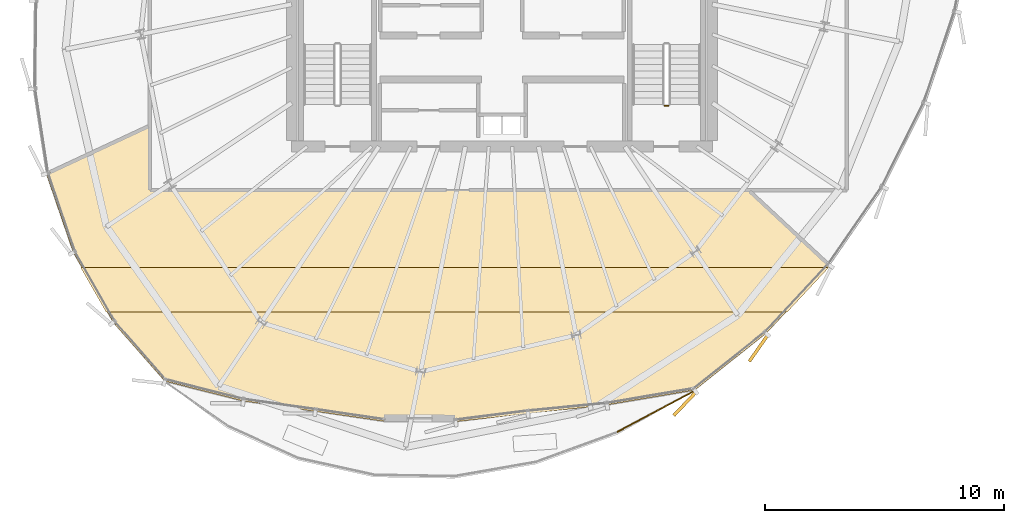
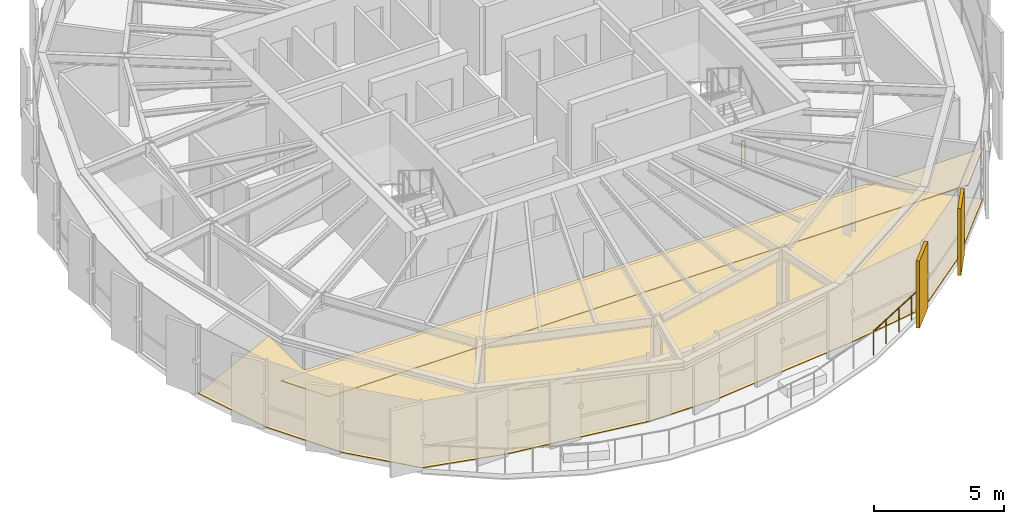
# One storey, part 30 of 32: 4 coverings, 2 railings.
"""IFC4 building model written with IfcOpenShell, lengths in metres."""

from ifc_helpers import new_model, si_unit, direction, frame, origin, origin_2d, place, context, subcontext, project, spatial, polyline, rectangle, circle, outline, extrude, source, transform, mapped, material, layer, layer_set, type_object, element, save


model = new_model("IFC4")

# Units and contexts
model_context = context("Model", 3, precision=1e-05, world=origin(), true_north=direction((0.0, 1.0)))
body_context = subcontext(model_context, "Body", "Model", "MODEL_VIEW")
ifc_project = project(units=[si_unit("LENGTHUNIT", "METRE"), si_unit("AREAUNIT", "SQUARE_METRE"), si_unit("VOLUMEUNIT", "CUBIC_METRE"), si_unit("PLANEANGLEUNIT", "RADIAN"), si_unit("MASSUNIT", "GRAM", prefix="KILO"), si_unit("THERMODYNAMICTEMPERATUREUNIT", "KELVIN")], contexts=[model_context])

# Site, building, storey
site_placement = place(None, origin())
site = spatial("IfcSite", under=ifc_project, at=site_placement, CompositionType="ELEMENT")
building_placement = place(site_placement, origin())
building = spatial("IfcBuilding", under=site, at=building_placement, Name="Kethvar Cultural Tower", CompositionType="ELEMENT")
storey_placement = place(building_placement, frame((0.0, 0.0, 273.25)))
storey = spatial("IfcBuildingStorey", under=building, at=storey_placement, Name="L72", CompositionType="ELEMENT", Elevation=273.25)

# Coverings
ifc_material_1 = material(Name="Acoustic Mineral Fibre Ceiling")
ifc_layer_1 = layer(ifc_material_1, 0.0400390625, Name="Acoustic Mineral Fibre Ceiling")
ifc_layer_set_1 = layer_set([ifc_layer_1], Name="Acoustic Mineral Fibre Ceiling (40 mm)")
covering_type_1 = type_object("IfcCoveringType", Name="CV-ACOUSTIC-CEIL", PredefinedType="CEILING", material=ifc_layer_set_1)
covering_1_placement = place(storey_placement, frame((0.0, 0.0, 2.449951171875)))
element("IfcCovering", 1, at=covering_1_placement, inside=storey, type_object=covering_type_1, Name="L72 Room 01 Acoustic Ceiling Panel", PredefinedType="CEILING", context=body_context, shape_type="SweptSolid", body=[
    extrude(outline(polyline([(58.73583984375, 13.173583984375), (30.239013671875, 13.173583984375), (29.169677734375, 15.04345703125), (60.47900390625, 15.04345703125), (58.73583984375, 13.173583984375)])), origin(), (0.0, 0.0, 1.0), 0.0400390625),
])
ifc_material_2 = material(Name="Architectural Oak Timber", Category="wood")
ifc_layer_2 = layer(ifc_material_2, 0.02490234375, Name="Architectural Oak Timber", Category="wood")
ifc_layer_set_2 = layer_set([ifc_layer_2], Name="Architectural Oak Timber (25 mm)")
covering_type_2 = type_object("IfcCoveringType", Name="CV-OAK-FLOOR", PredefinedType="FLOORING", material=ifc_layer_set_2)
covering_2_placement = place(storey_placement, origin())
element("IfcCovering", 2, at=covering_2_placement, inside=storey, type_object=covering_type_2, Name="L72 Room 01 Floor Finish", PredefinedType="FLOORING", context=body_context, shape_type="SweptSolid", body=[
    extrude(outline(polyline([(60.494384765625, 15.11865234375), (57.849609375, 12.281494140625), (54.859130859375, 9.904541015625), (51.19482421875, 9.28759765625), (44.83154296875, 8.5830078125), (41.871337890625, 8.60009765625), (35.9443359375, 9.45703125), (32.696044921875, 10.2783203125), (30.532958984375, 12.740478515625), (28.861083984375, 15.663330078125), (27.739501953125, 18.939697265625), (32.050048828125, 20.9384765625), (32.068115234375, 18.2490234375), (57.106689453125, 18.2490234375), (60.494384765625, 15.11865234375)])), origin(), (0.0, 0.0, 1.0), 0.02490234375),
])

# Railings
ifc_material_3 = material(Name="Steel S355J2", Category="steel")
railing_type_1 = type_object("IfcRailingType", Name="RL-EXT-GUARD-1150", PredefinedType="BALUSTRADE", material=ifc_material_3)
railing_1_placement = place(storey_placement, frame((51.60302734375, 8.14599609375, 0.0)))
element("IfcRailing", 3, at=railing_1_placement, inside=storey, type_object=railing_type_1, Name="L72 Spiralling Terrace Balustrade 07", PredefinedType="BALUSTRADE", context=body_context, shape_type="SweptSolid", body=[
    extrude(circle(Radius=0.02392578125, at=origin_2d()), frame((0.0, 0.0, 1.1259765625), z_axis=(0.882522800778, 0.470269610018, 0.0), x_axis=(-0.470269610018, 0.882522800778, 0.0)), (0.0, 0.0, 1.0), 3.698974609375),
    extrude(circle(Radius=0.02099609375, at=origin_2d()), origin(), (0.0, 0.0, 1.0), 1.101806640625),
    extrude(circle(Radius=0.02099609375, at=origin_2d()), frame((0.816162109375, 0.434814453125, 0.0)), (0.0, 0.0, 1.0), 1.101806640625),
    extrude(circle(Radius=0.02099609375, at=origin_2d()), frame((1.63232421875, 0.86962890625, 0.0)), (0.0, 0.0, 1.0), 1.101806640625),
    extrude(circle(Radius=0.02099609375, at=origin_2d()), frame((2.4482421875, 1.3046875, 0.0)), (0.0, 0.0, 1.0), 1.101806640625),
    extrude(circle(Radius=0.02099609375, at=origin_2d()), frame((3.264404296875, 1.739501953125, 0.0)), (0.0, 0.0, 1.0), 1.101806640625),
])
railing_type_2 = type_object("IfcRailingType", Name="RL-STAIR-GUARD", PredefinedType="BALUSTRADE", material=ifc_material_3)
railing_2_placement = place(storey_placement, frame((53.760009765625, 21.800048828125, 0.0)))
element("IfcRailing", 4, at=railing_2_placement, inside=storey, type_object=railing_type_2, Name="L72 ST-02 stair guard 4", PredefinedType="BALUSTRADE", context=body_context, shape_type="SweptSolid", body=[
    extrude(circle(Radius=0.02392578125, at=origin_2d()), frame((0.0, 0.0, 1.09619140625), z_axis=(-1.0, 0.0, 0.0), x_axis=(0.0, -1.0, 0.0)), (0.0, 0.0, 1.0), 0.159912109375),
    extrude(circle(Radius=0.02099609375, at=origin_2d()), origin(), (0.0, 0.0, 1.0), 1.072021484375),
    extrude(circle(Radius=0.02099609375, at=origin_2d()), frame((-0.159912109375, 0.0, 0.0)), (0.0, 0.0, 1.0), 1.072021484375),
])

# Coverings
ifc_material_4 = material(Name="Extruded Architectural Terracotta", Category="masonry")
ifc_layer_3 = layer(ifc_material_4, 0.135009765625, Name="Extruded Architectural Terracotta", Category="masonry")
ifc_layer_set_3 = layer_set([ifc_layer_3], Name="Extruded Architectural Terracotta (135 mm)")
covering_type_3 = type_object("IfcCoveringType", Name="Terracotta Facade Fin FIN-03", PredefinedType="CLADDING", material=ifc_layer_set_3)
shared_shape = source(origin(), body_context, "Body", "SweptSolid", [
    extrude(rectangle(XDim=1.35009765625, YDim=0.135009765625, at=origin_2d()), origin(), (0.0, 0.0, 1.0), 3.169921875),
])
for number, where, z_axis, x_axis, name in (
    (5, (54.452392578125, 9.33349609375, 0.02001953125), (0.0, 0.0, 1.0), (-0.688607737173, -0.725134045749, 0.0), "L72 Vertical Terracotta Fin 5.4"),
    (6, (57.53466796875, 11.6591796875, 0.02001953125), (0.0, 0.0, 1.0), (-0.573433458613, -0.819252139785, 0.0), "L72 Vertical Terracotta Fin 5.5"),
):
    element("IfcCovering", number, at=place(storey_placement, frame(where, z_axis=z_axis, x_axis=x_axis)), inside=storey, type_object=covering_type_3, Name=name, PredefinedType="CLADDING", context=body_context, shape_type="MappedRepresentation", body=[
        mapped(shared_shape, transform((0.0, 0.0, 0.0), scale=1.0)),
    ])

save(model, "model.ifc")
